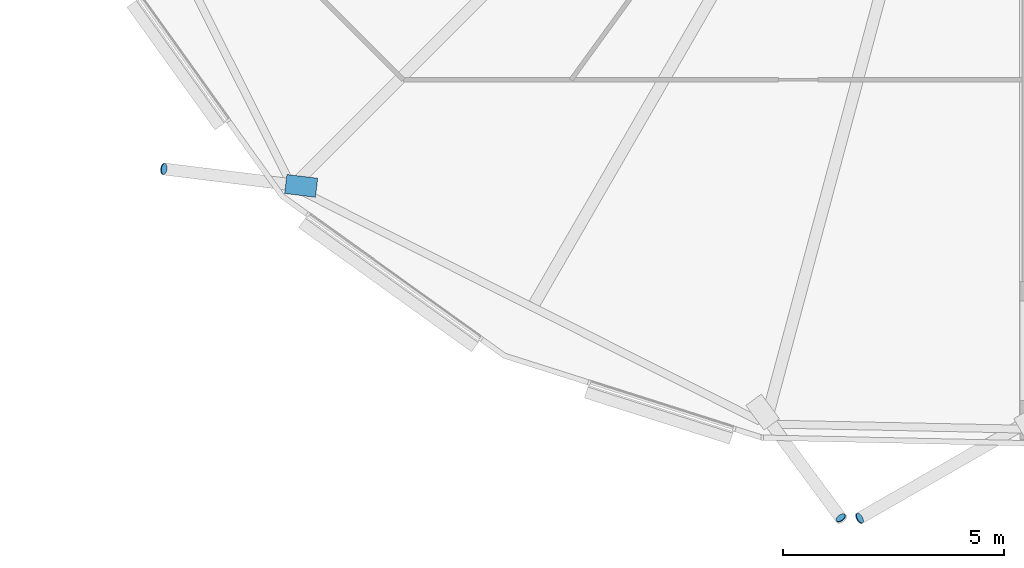
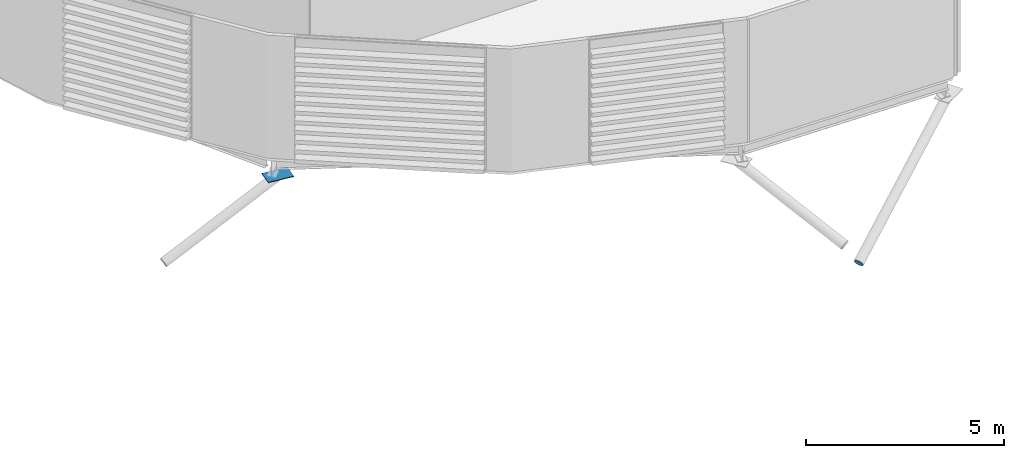
# One storey, part 32 of 42: 4 discrete accessories.
"""IFC4 building model written with IfcOpenShell, lengths in metres."""

from ifc_helpers import new_model, si_unit, direction, frame, origin, origin_2d, place, context, subcontext, project, spatial, polyline, rectangle, circle, outline, extrude, material, material_profile, profile_set, type_object, element, save


model = new_model("IFC4")

# Units and contexts
model_context = context("Model", 3, precision=1e-05, world=origin(), true_north=direction((0.0, 1.0)))
body_context = subcontext(model_context, "Body", "Model", "MODEL_VIEW")
ifc_project = project(units=[si_unit("LENGTHUNIT", "METRE"), si_unit("AREAUNIT", "SQUARE_METRE"), si_unit("VOLUMEUNIT", "CUBIC_METRE"), si_unit("PLANEANGLEUNIT", "RADIAN"), si_unit("MASSUNIT", "GRAM", prefix="KILO")], contexts=[model_context])

# Site, building, storey
site_placement = place(None, origin())
site = spatial("IfcSite", under=ifc_project, at=site_placement, CompositionType="ELEMENT")
building_placement = place(site_placement, origin())
building = spatial("IfcBuilding", under=site, at=building_placement, Name="Rimbun Link Towers", CompositionType="ELEMENT")
storey_placement = place(building_placement, frame((0.0, 0.0, 85.39990234375)))
storey = spatial("IfcBuildingStorey", under=building, at=storey_placement, Name="L20", CompositionType="ELEMENT", Elevation=85.39990234375)

# Discrete accessories
ifc_material_1 = material(Name="Steel S355J2H", Category="steel")
ifc_material_profile_1 = material_profile(ifc_material_1, circle(Radius=0.1240234375, at=origin_2d()), Name="PL D248")
ifc_profile_set_1 = profile_set([ifc_material_profile_1], Name="Steel S355J2H")
discrete_accessory_type_1 = type_object("IfcDiscreteAccessoryType", Name="Link foot sealing plate D248X20", PredefinedType="BRACKET", material=ifc_profile_set_1)
for number, where, z_axis, x_axis, name in (
    (1, (12.270263671875, -16.186767578125, -2.684814453125), (-0.852328602971, 0.109585106096, -0.511397161783), (-0.12752174254, -0.991835775307, 0.0), "Link foot sealing plate T2 L20 12"),
    (2, (27.56884765625, -24.073486328125, -2.71533203125), (0.514495755428, -0.68599434057, -0.514495755428), (0.8, 0.6, 0.0), "Link foot sealing plate T2 L20 14"),
    (3, (28.005615234375, -24.08251953125, -3.416015625), (-0.759664746416, -0.44109565921, -0.47785363081), (0.502135517387, -0.86478894661, 0.0), "Link foot sealing plate T2 L20 15"),
):
    element("IfcDiscreteAccessory", number, at=place(storey_placement, frame(where, z_axis=z_axis, x_axis=x_axis)), inside=storey, type_object=discrete_accessory_type_1, Name=name, PredefinedType="BRACKET", context=body_context, shape_type="SweptSolid", body=[
        extrude(circle(Radius=0.1240234375, at=origin_2d()), origin(), (0.0, 0.0, 1.0), 0.02001953125),
    ])
ifc_material_2 = material(Name="Steel S355J2H", Category="steel")
ifc_material_profile_2 = material_profile(ifc_material_2, rectangle(XDim=0.43310546875, YDim=0.43310546875, at=origin_2d()), Name="PL 433x433")
ifc_profile_set_2 = profile_set([ifc_material_profile_2], Name="Steel S355J2H")
discrete_accessory_type_2 = type_object("IfcDiscreteAccessoryType", Name="Link head end plate 433X20", PredefinedType="BRACKET", material=ifc_profile_set_2)
discrete_accessory_placement = place(storey_placement, frame((0.0, 0.0, -0.86328125)))
element("IfcDiscreteAccessory", 4, at=discrete_accessory_placement, inside=storey, type_object=discrete_accessory_type_2, Name="Link head end plate T2 L20 12", PredefinedType="BRACKET", context=body_context, shape_type="SweptSolid", body=[
    extrude(outline(polyline([(15.743408203125, -16.396728515625), (15.047119140625, -16.310791015625), (14.993896484375, -16.740478515625), (15.6904296875, -16.826416015625), (15.743408203125, -16.396728515625)])), origin(), (0.0, 0.0, 1.0), 0.019775390625),
])

save(model, "model.ifc")
